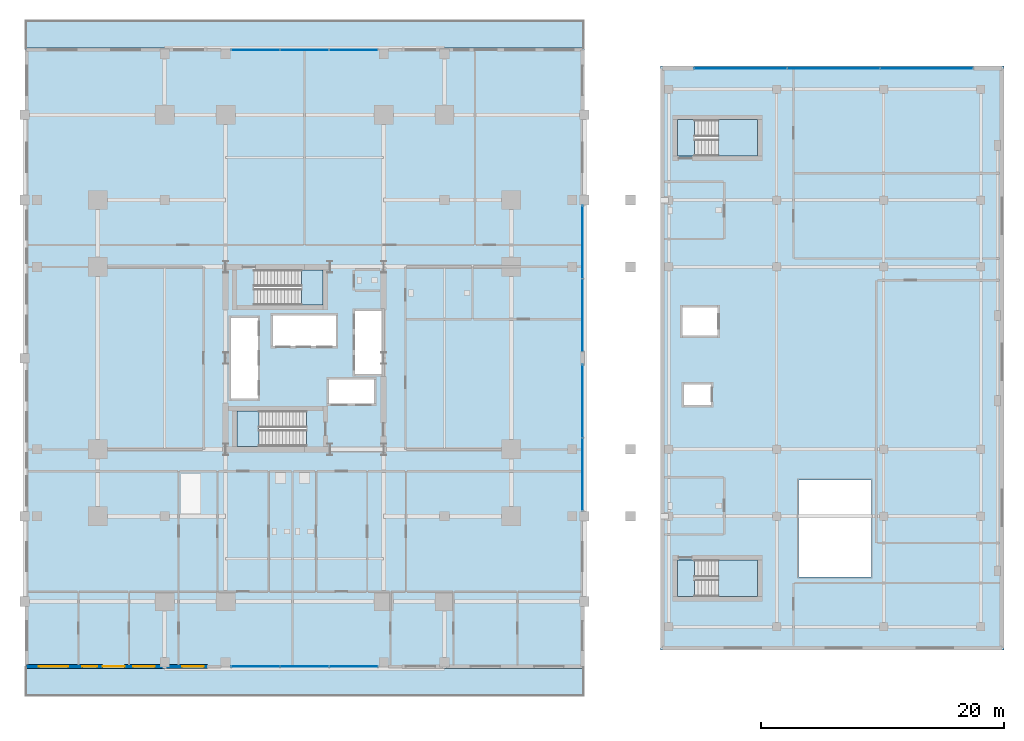
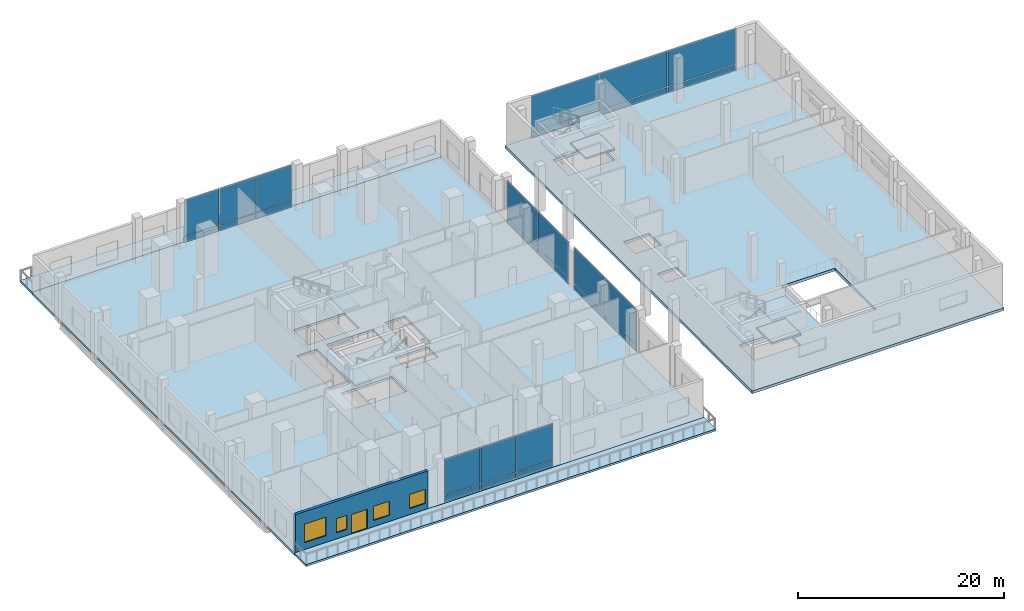
# One storey, part 19 of 32: 26 plates, 12 slabs, 4 windows, 1 door, 1 wall, 5 openings, 9 elements without a shape of their own.
"""IFC4 building model written with IfcOpenShell, lengths in metres."""

from ifc_helpers import new_model, si_unit, direction, frame, frame_2d, origin, origin_2d, place, context, subcontext, project, spatial, polyline, rectangle, outline, extrude, material, layer, layer_set, type_object, element, fill, aggregate, save


model = new_model("IFC4")

# Units and contexts
model_context = context("Model", 3, precision=1e-05, world=origin(), true_north=direction((0.0, 1.0)))
body_context = subcontext(model_context, "Body", "Model", "MODEL_VIEW")
ifc_project = project(units=[si_unit("LENGTHUNIT", "METRE"), si_unit("AREAUNIT", "SQUARE_METRE"), si_unit("VOLUMEUNIT", "CUBIC_METRE"), si_unit("PLANEANGLEUNIT", "RADIAN"), si_unit("MASSUNIT", "GRAM", prefix="KILO")], contexts=[model_context])

# Site, building, storey
site_placement = place(None, origin())
site = spatial("IfcSite", under=ifc_project, at=site_placement, CompositionType="ELEMENT")
building_placement = place(site_placement, origin())
building = spatial("IfcBuilding", under=site, at=building_placement, Name="Barlavira Tower and Art Museum", CompositionType="ELEMENT")
storey_placement = place(building_placement, frame((0.0, 0.0, 6.0)))
storey = spatial("IfcBuildingStorey", under=building, at=storey_placement, Name="L01", CompositionType="ELEMENT", Elevation=6.0)

# Slabs
ifc_material_1 = material(Name="Concrete C50", Category="concrete")
ifc_layer_1 = layer(ifc_material_1, 0.239990234375, Name="Concrete C50")
ifc_layer_set_1 = layer_set([ifc_layer_1], Name="Concrete C50")
slab_type_1 = type_object("IfcSlabType", Name="Cascading Garden and Lookout Terrace Slab 240 Concrete C50", PredefinedType="FLOOR", material=ifc_layer_set_1)
slab_1_placement = place(storey_placement, frame((0.0, 0.0, -0.239990234375)))
element("IfcSlab", 1, at=slab_1_placement, inside=storey, type_object=slab_type_1, Name="L01 South Cascading Garden Terrace Slab", PredefinedType="FLOOR", context=body_context, shape_type="SweptSolid", body=[
    extrude(outline(polyline([(-23.0, -27.800048828125), (23.0, -27.800048828125), (23.0, -25.5), (-23.0, -25.5), (-23.0, -27.800048828125)])), origin(), (0.0, 0.0, 1.0), 0.239990234375),
])
slab_2_placement = place(storey_placement, frame((0.0, 0.0, -0.239990234375)))
element("IfcSlab", 2, at=slab_2_placement, inside=storey, type_object=slab_type_1, Name="L01 North Cascading Garden Terrace Slab", PredefinedType="FLOOR", context=body_context, shape_type="SweptSolid", body=[
    extrude(outline(polyline([(-23.0, 25.5), (23.0, 25.5), (23.0, 27.800048828125), (-23.0, 27.800048828125), (-23.0, 25.5)])), origin(), (0.0, 0.0, 1.0), 0.239990234375),
])

# Curtain wall, plates
ifc_material_2 = material(Name="Low-iron coastal laminated glass", Category="glass")
ifc_layer_2 = layer(ifc_material_2, 0.219970703125, Name="Low-iron coastal laminated glass")
ifc_layer_set_2 = layer_set([ifc_layer_2], Name="Low-iron coastal laminated glass")
curtain_wall_type_1 = type_object("IfcCurtainWallType", Name="Double-Height Podium Arcade Storefront Curtain Wall", PredefinedType="NOTDEFINED", material=ifc_layer_set_2)
curtain_wall_1_placement = place(storey_placement, origin())
curtain_wall_1 = element("IfcCurtainWall", 3, at=curtain_wall_1_placement, inside=storey, type_object=curtain_wall_type_1, Name="L01 Curtain Wall CW5-L01-ES", PredefinedType="NOTDEFINED")
ifc_material_3 = material(Name="Pale anodised aluminium", Category="aluminium")
ifc_layer_3 = layer(ifc_material_3, 0.044921875, Name="Pale anodised aluminium")
ifc_layer_set_3 = layer_set([ifc_layer_3], Name="Pale anodised aluminium")
plate_type_1 = type_object("IfcPlateType", Name="Curtain Wall Pale-Metal Spandrel Panel 45", PredefinedType="CURTAIN_PANEL", material=ifc_layer_set_3)
plate_1_placement = place(storey_placement, frame((22.85009765625, -9.56005859375, 0.0400390625), z_axis=(0.0, 0.0, 1.0), x_axis=(0.0, 1.0, 0.0)))
plate_1 = element("IfcPlate", 4, at=plate_1_placement, type_object=plate_type_1, Name="CW5-L01-ES Spandrel Panel 0", PredefinedType="CURTAIN_PANEL", context=body_context, shape_type="SweptSolid", body=[
    extrude(rectangle(XDim=5.93994140625, YDim=0.044921875, at=origin_2d()), origin(), (0.0, 0.0, 1.0), 0.669921875),
])
plate_2_placement = place(storey_placement, frame((22.85009765625, -3.52001953125, 0.0400390625), z_axis=(0.0, 0.0, 1.0), x_axis=(0.0, 1.0, 0.0)))
plate_2 = element("IfcPlate", 5, at=plate_2_placement, type_object=plate_type_1, Name="CW5-L01-ES Spandrel Panel 1", PredefinedType="CURTAIN_PANEL", context=body_context, shape_type="SweptSolid", body=[
    extrude(rectangle(XDim=5.93994140625, YDim=0.044921875, at=origin_2d()), origin(), (0.0, 0.0, 1.0), 0.669921875),
])

curtain_wall_2_placement = place(storey_placement, origin())
curtain_wall_2 = element("IfcCurtainWall", 6, at=curtain_wall_2_placement, inside=storey, type_object=curtain_wall_type_1, Name="L01 Curtain Wall CW5-L01-EN", PredefinedType="NOTDEFINED")
plate_3_placement = place(storey_placement, frame((22.85009765625, 3.52001953125, 0.0400390625), z_axis=(0.0, 0.0, 1.0), x_axis=(0.0, 1.0, 0.0)))
plate_3 = element("IfcPlate", 7, at=plate_3_placement, type_object=plate_type_1, Name="CW5-L01-EN Spandrel Panel 0", PredefinedType="CURTAIN_PANEL", context=body_context, shape_type="SweptSolid", body=[
    extrude(rectangle(XDim=5.93994140625, YDim=0.044921875, at=origin_2d()), origin(), (0.0, 0.0, 1.0), 0.669921875),
])
plate_4_placement = place(storey_placement, frame((22.85009765625, 9.56005859375, 0.0400390625), z_axis=(0.0, 0.0, 1.0), x_axis=(0.0, 1.0, 0.0)))
plate_4 = element("IfcPlate", 8, at=plate_4_placement, type_object=plate_type_1, Name="CW5-L01-EN Spandrel Panel 1", PredefinedType="CURTAIN_PANEL", context=body_context, shape_type="SweptSolid", body=[
    extrude(rectangle(XDim=5.93994140625, YDim=0.044921875, at=origin_2d()), origin(), (0.0, 0.0, 1.0), 0.669921875),
])

ifc_layer_4 = layer(ifc_material_2, 0.179931640625, Name="Low-iron coastal laminated glass")
ifc_layer_set_4 = layer_set([ifc_layer_4], Name="Low-iron coastal laminated glass")
curtain_wall_type_2 = type_object("IfcCurtainWallType", Name="Pale-Metal Unitised Curtain Wall Zone 1", PredefinedType="NOTDEFINED", material=ifc_layer_set_4)
curtain_wall_3_placement = place(storey_placement, origin())
curtain_wall_3 = element("IfcCurtainWall", 9, at=curtain_wall_3_placement, inside=storey, type_object=curtain_wall_type_2, Name="L01 Curtain Wall CW1-L01-S-B2", PredefinedType="NOTDEFINED")
plate_5_placement = place(storey_placement, frame((-4.05322265625, -25.35009765625, 0.0400390625), z_axis=(0.0, 0.0, 1.0), x_axis=(1.0, 0.0, 0.0)))
plate_5 = element("IfcPlate", 10, at=plate_5_placement, type_object=plate_type_1, Name="CW1-L01-S-B2 Spandrel Panel 0", PredefinedType="CURTAIN_PANEL", context=body_context, shape_type="SweptSolid", body=[
    extrude(rectangle(XDim=3.953369140625, YDim=0.044921875, at=origin_2d()), origin(), (0.0, 0.0, 1.0), 0.669921875),
])
plate_6_placement = place(storey_placement, frame((0.0, -25.35009765625, 0.0400390625), z_axis=(0.0, 0.0, 1.0), x_axis=(1.0, 0.0, 0.0)))
plate_6 = element("IfcPlate", 11, at=plate_6_placement, type_object=plate_type_1, Name="CW1-L01-S-B2 Spandrel Panel 1", PredefinedType="CURTAIN_PANEL", context=body_context, shape_type="SweptSolid", body=[
    extrude(rectangle(XDim=3.953369140625, YDim=0.044921875, at=origin_2d()), origin(), (0.0, 0.0, 1.0), 0.669921875),
])
plate_7_placement = place(storey_placement, frame((4.05322265625, -25.35009765625, 0.0400390625), z_axis=(0.0, 0.0, 1.0), x_axis=(1.0, 0.0, 0.0)))
plate_7 = element("IfcPlate", 12, at=plate_7_placement, type_object=plate_type_1, Name="CW1-L01-S-B2 Spandrel Panel 2", PredefinedType="CURTAIN_PANEL", context=body_context, shape_type="SweptSolid", body=[
    extrude(rectangle(XDim=3.953369140625, YDim=0.044921875, at=origin_2d()), origin(), (0.0, 0.0, 1.0), 0.669921875),
])

curtain_wall_4_placement = place(storey_placement, origin())
curtain_wall_4 = element("IfcCurtainWall", 13, at=curtain_wall_4_placement, inside=storey, type_object=curtain_wall_type_2, Name="L01 Curtain Wall CW1-L01-N-B2", PredefinedType="NOTDEFINED")
plate_8_placement = place(storey_placement, frame((4.05322265625, 25.35009765625, 0.0400390625), z_axis=(0.0, 0.0, 1.0), x_axis=(-1.0, 0.0, 0.0)))
plate_8 = element("IfcPlate", 14, at=plate_8_placement, type_object=plate_type_1, Name="CW1-L01-N-B2 Spandrel Panel 0", PredefinedType="CURTAIN_PANEL", context=body_context, shape_type="SweptSolid", body=[
    extrude(rectangle(XDim=3.953369140625, YDim=0.044921875, at=origin_2d()), origin(), (0.0, 0.0, 1.0), 0.669921875),
])
plate_9_placement = place(storey_placement, frame((0.0, 25.35009765625, 0.0400390625), z_axis=(0.0, 0.0, 1.0), x_axis=(-1.0, 0.0, 0.0)))
plate_9 = element("IfcPlate", 15, at=plate_9_placement, type_object=plate_type_1, Name="CW1-L01-N-B2 Spandrel Panel 1", PredefinedType="CURTAIN_PANEL", context=body_context, shape_type="SweptSolid", body=[
    extrude(rectangle(XDim=3.953369140625, YDim=0.044921875, at=origin_2d()), origin(), (0.0, 0.0, 1.0), 0.669921875),
])
plate_10_placement = place(storey_placement, frame((-4.05322265625, 25.35009765625, 0.0400390625), z_axis=(0.0, 0.0, 1.0), x_axis=(-1.0, 0.0, 0.0)))
plate_10 = element("IfcPlate", 16, at=plate_10_placement, type_object=plate_type_1, Name="CW1-L01-N-B2 Spandrel Panel 2", PredefinedType="CURTAIN_PANEL", context=body_context, shape_type="SweptSolid", body=[
    extrude(rectangle(XDim=3.953369140625, YDim=0.044921875, at=origin_2d()), origin(), (0.0, 0.0, 1.0), 0.669921875),
])

ifc_layer_5 = layer(ifc_material_2, 0.199951171875, Name="Low-iron coastal laminated glass")
ifc_layer_set_5 = layer_set([ifc_layer_5], Name="Low-iron coastal laminated glass")
curtain_wall_type_3 = type_object("IfcCurtainWallType", Name="Coastal Art Museum North-Light Curtain Wall", PredefinedType="NOTDEFINED", material=ifc_layer_set_5)
curtain_wall_5_placement = place(storey_placement, origin())
curtain_wall_5 = element("IfcCurtainWall", 17, at=curtain_wall_5_placement, inside=storey, type_object=curtain_wall_type_3, Name="L01 Curtain Wall CW6-MUS-L01-N", PredefinedType="NOTDEFINED")
plate_11_placement = place(storey_placement, frame((51.166748046875, 23.824951171875, 0.0400390625), z_axis=(0.0, 0.0, 1.0), x_axis=(-1.0, 0.0, 0.0)))
plate_11 = element("IfcPlate", 18, at=plate_11_placement, type_object=plate_type_1, Name="CW6-MUS-L01-N Spandrel Panel 0", PredefinedType="CURTAIN_PANEL", context=body_context, shape_type="SweptSolid", body=[
    extrude(rectangle(XDim=7.566650390625, YDim=0.044921875, at=origin_2d()), origin(), (0.0, 0.0, 1.0), 0.669921875),
])
plate_12_placement = place(storey_placement, frame((43.5, 23.824951171875, 0.0400390625), z_axis=(0.0, 0.0, 1.0), x_axis=(-1.0, 0.0, 0.0)))
plate_12 = element("IfcPlate", 19, at=plate_12_placement, type_object=plate_type_1, Name="CW6-MUS-L01-N Spandrel Panel 1", PredefinedType="CURTAIN_PANEL", context=body_context, shape_type="SweptSolid", body=[
    extrude(rectangle(XDim=7.566650390625, YDim=0.044921875, at=origin_2d()), origin(), (0.0, 0.0, 1.0), 0.669921875),
])
plate_13_placement = place(storey_placement, frame((35.833251953125, 23.824951171875, 0.0400390625), z_axis=(0.0, 0.0, 1.0), x_axis=(-1.0, 0.0, 0.0)))
plate_13 = element("IfcPlate", 20, at=plate_13_placement, type_object=plate_type_1, Name="CW6-MUS-L01-N Spandrel Panel 2", PredefinedType="CURTAIN_PANEL", context=body_context, shape_type="SweptSolid", body=[
    extrude(rectangle(XDim=7.566650390625, YDim=0.044921875, at=origin_2d()), origin(), (0.0, 0.0, 1.0), 0.669921875),
])

# Plate
ifc_layer_6 = layer(ifc_material_2, 0.028076171875, Name="Low-iron coastal laminated glass")
ifc_layer_set_6 = layer_set([ifc_layer_6], Name="Low-iron coastal laminated glass")
plate_type_2 = type_object("IfcPlateType", Name="Curtain Wall Vision Glazing Panel 28", PredefinedType="CURTAIN_PANEL", material=ifc_layer_set_6)
plate_14_placement = place(storey_placement, frame((22.85009765625, -9.56005859375, 0.7900390625), z_axis=(0.0, 0.0, 1.0), x_axis=(0.0, 1.0, 0.0)))
plate_14 = element("IfcPlate", 21, at=plate_14_placement, type_object=plate_type_2, Name="CW5-L01-ES Vision Glass Panel 0", PredefinedType="CURTAIN_PANEL", context=body_context, shape_type="SweptSolid", body=[
    extrude(rectangle(XDim=5.93994140625, YDim=0.028076171875, at=origin_2d()), origin(), (0.0, 0.0, 1.0), 4.2900390625),
])

plate_15_placement = place(storey_placement, frame((22.85009765625, -3.52001953125, 0.7900390625), z_axis=(0.0, 0.0, 1.0), x_axis=(0.0, 1.0, 0.0)))
plate_15 = element("IfcPlate", 22, at=plate_15_placement, type_object=plate_type_2, Name="CW5-L01-ES Vision Glass Panel 1", PredefinedType="CURTAIN_PANEL", context=body_context, shape_type="SweptSolid", body=[
    extrude(rectangle(XDim=5.93994140625, YDim=0.028076171875, at=origin_2d()), origin(), (0.0, 0.0, 1.0), 4.2900390625),
])

aggregate(curtain_wall_1, [plate_1, plate_14, plate_2, plate_15])

plate_16_placement = place(storey_placement, frame((22.85009765625, 3.52001953125, 0.7900390625), z_axis=(0.0, 0.0, 1.0), x_axis=(0.0, 1.0, 0.0)))
plate_16 = element("IfcPlate", 23, at=plate_16_placement, type_object=plate_type_2, Name="CW5-L01-EN Vision Glass Panel 0", PredefinedType="CURTAIN_PANEL", context=body_context, shape_type="SweptSolid", body=[
    extrude(rectangle(XDim=5.93994140625, YDim=0.028076171875, at=origin_2d()), origin(), (0.0, 0.0, 1.0), 4.2900390625),
])

plate_17_placement = place(storey_placement, frame((22.85009765625, 9.56005859375, 0.7900390625), z_axis=(0.0, 0.0, 1.0), x_axis=(0.0, 1.0, 0.0)))
plate_17 = element("IfcPlate", 24, at=plate_17_placement, type_object=plate_type_2, Name="CW5-L01-EN Vision Glass Panel 1", PredefinedType="CURTAIN_PANEL", context=body_context, shape_type="SweptSolid", body=[
    extrude(rectangle(XDim=5.93994140625, YDim=0.028076171875, at=origin_2d()), origin(), (0.0, 0.0, 1.0), 4.2900390625),
])

aggregate(curtain_wall_2, [plate_3, plate_16, plate_4, plate_17])

plate_18_placement = place(storey_placement, frame((-4.05322265625, -25.35009765625, 0.7900390625), z_axis=(0.0, 0.0, 1.0), x_axis=(1.0, 0.0, 0.0)))
plate_18 = element("IfcPlate", 25, at=plate_18_placement, type_object=plate_type_2, Name="CW1-L01-S-B2 Vision Glass Panel 0", PredefinedType="CURTAIN_PANEL", context=body_context, shape_type="SweptSolid", body=[
    extrude(rectangle(XDim=3.953369140625, YDim=0.028076171875, at=origin_2d()), origin(), (0.0, 0.0, 1.0), 4.2900390625),
])

plate_19_placement = place(storey_placement, frame((0.0, -25.35009765625, 0.7900390625), z_axis=(0.0, 0.0, 1.0), x_axis=(1.0, 0.0, 0.0)))
plate_19 = element("IfcPlate", 26, at=plate_19_placement, type_object=plate_type_2, Name="CW1-L01-S-B2 Vision Glass Panel 1", PredefinedType="CURTAIN_PANEL", context=body_context, shape_type="SweptSolid", body=[
    extrude(rectangle(XDim=3.953369140625, YDim=0.028076171875, at=origin_2d()), origin(), (0.0, 0.0, 1.0), 4.2900390625),
])

plate_20_placement = place(storey_placement, frame((4.05322265625, -25.35009765625, 0.7900390625), z_axis=(0.0, 0.0, 1.0), x_axis=(1.0, 0.0, 0.0)))
plate_20 = element("IfcPlate", 27, at=plate_20_placement, type_object=plate_type_2, Name="CW1-L01-S-B2 Vision Glass Panel 2", PredefinedType="CURTAIN_PANEL", context=body_context, shape_type="SweptSolid", body=[
    extrude(rectangle(XDim=3.953369140625, YDim=0.028076171875, at=origin_2d()), origin(), (0.0, 0.0, 1.0), 4.2900390625),
])

aggregate(curtain_wall_3, [plate_5, plate_18, plate_6, plate_19, plate_7, plate_20])

plate_21_placement = place(storey_placement, frame((4.05322265625, 25.35009765625, 0.7900390625), z_axis=(0.0, 0.0, 1.0), x_axis=(-1.0, 0.0, 0.0)))
plate_21 = element("IfcPlate", 28, at=plate_21_placement, type_object=plate_type_2, Name="CW1-L01-N-B2 Vision Glass Panel 0", PredefinedType="CURTAIN_PANEL", context=body_context, shape_type="SweptSolid", body=[
    extrude(rectangle(XDim=3.953369140625, YDim=0.028076171875, at=origin_2d()), origin(), (0.0, 0.0, 1.0), 4.2900390625),
])

plate_22_placement = place(storey_placement, frame((0.0, 25.35009765625, 0.7900390625), z_axis=(0.0, 0.0, 1.0), x_axis=(-1.0, 0.0, 0.0)))
plate_22 = element("IfcPlate", 29, at=plate_22_placement, type_object=plate_type_2, Name="CW1-L01-N-B2 Vision Glass Panel 1", PredefinedType="CURTAIN_PANEL", context=body_context, shape_type="SweptSolid", body=[
    extrude(rectangle(XDim=3.953369140625, YDim=0.028076171875, at=origin_2d()), origin(), (0.0, 0.0, 1.0), 4.2900390625),
])

plate_23_placement = place(storey_placement, frame((-4.05322265625, 25.35009765625, 0.7900390625), z_axis=(0.0, 0.0, 1.0), x_axis=(-1.0, 0.0, 0.0)))
plate_23 = element("IfcPlate", 30, at=plate_23_placement, type_object=plate_type_2, Name="CW1-L01-N-B2 Vision Glass Panel 2", PredefinedType="CURTAIN_PANEL", context=body_context, shape_type="SweptSolid", body=[
    extrude(rectangle(XDim=3.953369140625, YDim=0.028076171875, at=origin_2d()), origin(), (0.0, 0.0, 1.0), 4.2900390625),
])

aggregate(curtain_wall_4, [plate_8, plate_21, plate_9, plate_22, plate_10, plate_23])

plate_24_placement = place(storey_placement, frame((51.166748046875, 23.824951171875, 0.7900390625), z_axis=(0.0, 0.0, 1.0), x_axis=(-1.0, 0.0, 0.0)))
plate_24 = element("IfcPlate", 31, at=plate_24_placement, type_object=plate_type_2, Name="CW6-MUS-L01-N Vision Glass Panel 0", PredefinedType="CURTAIN_PANEL", context=body_context, shape_type="SweptSolid", body=[
    extrude(rectangle(XDim=7.566650390625, YDim=0.028076171875, at=origin_2d()), origin(), (0.0, 0.0, 1.0), 4.25),
])

plate_25_placement = place(storey_placement, frame((43.5, 23.824951171875, 0.7900390625), z_axis=(0.0, 0.0, 1.0), x_axis=(-1.0, 0.0, 0.0)))
plate_25 = element("IfcPlate", 32, at=plate_25_placement, type_object=plate_type_2, Name="CW6-MUS-L01-N Vision Glass Panel 1", PredefinedType="CURTAIN_PANEL", context=body_context, shape_type="SweptSolid", body=[
    extrude(rectangle(XDim=7.566650390625, YDim=0.028076171875, at=origin_2d()), origin(), (0.0, 0.0, 1.0), 4.25),
])

plate_26_placement = place(storey_placement, frame((35.833251953125, 23.824951171875, 0.7900390625), z_axis=(0.0, 0.0, 1.0), x_axis=(-1.0, 0.0, 0.0)))
plate_26 = element("IfcPlate", 33, at=plate_26_placement, type_object=plate_type_2, Name="CW6-MUS-L01-N Vision Glass Panel 2", PredefinedType="CURTAIN_PANEL", context=body_context, shape_type="SweptSolid", body=[
    extrude(rectangle(XDim=7.566650390625, YDim=0.028076171875, at=origin_2d()), origin(), (0.0, 0.0, 1.0), 4.25),
])

aggregate(curtain_wall_5, [plate_11, plate_24, plate_12, plate_25, plate_13, plate_26])

# Slab
ifc_layer_7 = layer(ifc_material_1, 0.320068359375, Name="Concrete C50")
ifc_layer_set_7 = layer_set([ifc_layer_7], Name="Concrete C50")
slab_type_2 = type_object("IfcSlabType", Name="Museum Exhibition Gallery Slab 320 Concrete C50", PredefinedType="FLOOR", material=ifc_layer_set_7)
slab_3_placement = place(storey_placement, frame((0.0, 0.0, -0.320068359375)))
element("IfcSlab", 34, at=slab_3_placement, inside=storey, type_object=slab_type_2, Name="L01 Coastal Art Museum Floor Slab", PredefinedType="FLOOR", context=body_context, shape_type="SweptSolid", body=[
    extrude(outline(polyline([(29.25, -24.0), (57.5, -24.0), (57.5, 24.0), (29.25, 24.0), (29.25, -24.0)]), holes=[polyline([(32.070068359375, -19.60009765625), (37.25, -19.60009765625), (37.25, -16.60009765625), (32.070068359375, -16.60009765625), (32.070068359375, -19.60009765625)]), polyline([(32.070068359375, 16.60009765625), (37.25, 16.60009765625), (37.25, 19.60009765625), (32.070068359375, 19.60009765625), (32.070068359375, 16.60009765625)]), polyline([(31.199951171875, -3.85009765625), (33.39990234375, -3.85009765625), (33.39990234375, -2.14990234375), (31.199951171875, -2.14990234375), (31.199951171875, -3.85009765625)]), polyline([(31.050048828125, 1.85009765625), (33.949951171875, 1.85009765625), (33.949951171875, 4.14990234375), (31.050048828125, 4.14990234375), (31.050048828125, 1.85009765625)]), polyline([(40.60009765625, -18.0), (46.60009765625, -18.0), (46.60009765625, -10.0), (40.60009765625, -10.0), (40.60009765625, -18.0)])]), origin(), (0.0, 0.0, 1.0), 0.320068359375),
])

# Stair, slabs
ifc_material_4 = material(Name="Concrete C45", Category="concrete")
stair_type_1 = type_object("IfcStairType", Name="Museum North Dog-Leg Exit Stair Assembly Concrete C45", PredefinedType="TWO_QUARTER_TURN_STAIR", material=ifc_material_4)
stair_1_placement = place(storey_placement, origin())
stair_1 = element("IfcStair", 35, at=stair_1_placement, inside=storey, type_object=stair_type_1, Name="L01 Museum North Exit Stair ST-M2", PredefinedType="TWO_QUARTER_TURN_STAIR")
ifc_layer_8 = layer(ifc_material_4, 0.199951171875, Name="Concrete C45")
ifc_layer_set_8 = layer_set([ifc_layer_8], Name="Concrete C45")
slab_type_3 = type_object("IfcSlabType", Name="Museum North Dog-Leg Exit Stair Half-Landing Slab 200 Concrete C45", PredefinedType="LANDING", material=ifc_layer_set_8)
slab_4_placement = place(storey_placement, frame((0.0, 0.0, 1.14990234375)))
slab_4 = element("IfcSlab", 36, at=slab_4_placement, type_object=slab_type_3, Name="ST-M2 landing 1", PredefinedType="LANDING", context=body_context, shape_type="SweptSolid", body=[
    extrude(outline(polyline([(34.030029296875, 16.60009765625), (37.25, 16.60009765625), (37.25, 19.60009765625), (34.030029296875, 19.60009765625), (34.030029296875, 16.60009765625)])), origin(), (0.0, 0.0, 1.0), 0.2001953125),
])
slab_5_placement = place(storey_placement, frame((0.0, 0.0, 2.5)))
slab_5 = element("IfcSlab", 37, at=slab_5_placement, type_object=slab_type_3, Name="ST-M2 landing 2", PredefinedType="LANDING", context=body_context, shape_type="SweptSolid", body=[
    extrude(outline(polyline([(30.64990234375, 16.60009765625), (32.070068359375, 16.60009765625), (32.070068359375, 19.60009765625), (30.64990234375, 19.60009765625), (30.64990234375, 16.60009765625)])), origin(), (0.0, 0.0, 1.0), 0.199951171875),
])
slab_6_placement = place(storey_placement, frame((0.0, 0.0, 3.85009765625)))
slab_6 = element("IfcSlab", 38, at=slab_6_placement, type_object=slab_type_3, Name="ST-M2 landing 3", PredefinedType="LANDING", context=body_context, shape_type="SweptSolid", body=[
    extrude(outline(polyline([(34.030029296875, 16.60009765625), (37.25, 16.60009765625), (37.25, 19.60009765625), (34.030029296875, 19.60009765625), (34.030029296875, 16.60009765625)])), origin(), (0.0, 0.0, 1.0), 0.199951171875),
])
aggregate(stair_1, [slab_4, slab_5, slab_6])

stair_type_2 = type_object("IfcStairType", Name="Museum South Dog-Leg Exit Stair Assembly Concrete C45", PredefinedType="TWO_QUARTER_TURN_STAIR", material=ifc_material_4)
stair_2_placement = place(storey_placement, origin())
stair_2 = element("IfcStair", 39, at=stair_2_placement, inside=storey, type_object=stair_type_2, Name="L01 Museum South Exit Stair ST-M1", PredefinedType="TWO_QUARTER_TURN_STAIR")
ifc_layer_9 = layer(ifc_material_4, 0.199951171875, Name="Concrete C45")
ifc_layer_set_9 = layer_set([ifc_layer_9], Name="Concrete C45")
slab_type_4 = type_object("IfcSlabType", Name="Museum South Dog-Leg Exit Stair Half-Landing Slab 200 Concrete C45", PredefinedType="LANDING", material=ifc_layer_set_9)
slab_7_placement = place(storey_placement, frame((0.0, 0.0, 1.14990234375)))
slab_7 = element("IfcSlab", 40, at=slab_7_placement, type_object=slab_type_4, Name="ST-M1 landing 1", PredefinedType="LANDING", context=body_context, shape_type="SweptSolid", body=[
    extrude(outline(polyline([(34.030029296875, -19.60009765625), (37.25, -19.60009765625), (37.25, -16.60009765625), (34.030029296875, -16.60009765625), (34.030029296875, -19.60009765625)])), origin(), (0.0, 0.0, 1.0), 0.2001953125),
])
slab_8_placement = place(storey_placement, frame((0.0, 0.0, 2.5)))
slab_8 = element("IfcSlab", 41, at=slab_8_placement, type_object=slab_type_4, Name="ST-M1 landing 2", PredefinedType="LANDING", context=body_context, shape_type="SweptSolid", body=[
    extrude(outline(polyline([(30.64990234375, -19.60009765625), (32.070068359375, -19.60009765625), (32.070068359375, -16.60009765625), (30.64990234375, -16.60009765625), (30.64990234375, -19.60009765625)])), origin(), (0.0, 0.0, 1.0), 0.199951171875),
])
slab_9_placement = place(storey_placement, frame((0.0, 0.0, 3.85009765625)))
slab_9 = element("IfcSlab", 42, at=slab_9_placement, type_object=slab_type_4, Name="ST-M1 landing 3", PredefinedType="LANDING", context=body_context, shape_type="SweptSolid", body=[
    extrude(outline(polyline([(34.030029296875, -19.60009765625), (37.25, -19.60009765625), (37.25, -16.60009765625), (34.030029296875, -16.60009765625), (34.030029296875, -19.60009765625)])), origin(), (0.0, 0.0, 1.0), 0.199951171875),
])
aggregate(stair_2, [slab_7, slab_8, slab_9])

# Slab
ifc_layer_10 = layer(ifc_material_1, 0.280029296875, Name="Concrete C50")
ifc_layer_set_10 = layer_set([ifc_layer_10], Name="Concrete C50")
slab_type_5 = type_object("IfcSlabType", Name="Podium Floor Slab 280 Concrete C50", PredefinedType="FLOOR", material=ifc_layer_set_10)
slab_10_placement = place(storey_placement, frame((0.0, 0.0, -0.280029296875)))
element("IfcSlab", 43, at=slab_10_placement, inside=storey, type_object=slab_type_5, Name="L01 Tower Podium Indoor Floor Slab", PredefinedType="FLOOR", context=body_context, shape_type="SweptSolid", body=[
    extrude(outline(polyline([(-23.0, -25.5), (23.0, -25.5), (23.0, 25.5), (-23.0, 25.5), (-23.0, -25.5)]), holes=[polyline([(0.14990234375, -4.35009765625), (-5.550048828125, -4.35009765625), (-5.550048828125, -7.25), (0.14990234375, -7.25), (0.14990234375, -4.35009765625)]), polyline([(-4.169921875, 4.35009765625), (1.530029296875, 4.35009765625), (1.530029296875, 7.25), (-4.169921875, 7.25), (-4.169921875, 4.35009765625)]), polyline([(-6.050048828125, -3.31005859375), (-3.85009765625, -3.31005859375), (-3.85009765625, 3.31005859375), (-6.050048828125, 3.31005859375), (-6.050048828125, -3.31005859375)]), polyline([(4.14990234375, -1.2900390625), (6.35009765625, -1.2900390625), (6.35009765625, 3.889892578125), (4.14990234375, 3.889892578125), (4.14990234375, -1.2900390625)]), polyline([(-2.6201171875, 1.0), (2.56005859375, 1.0), (2.56005859375, 3.5), (-2.6201171875, 3.5), (-2.6201171875, 1.0)]), polyline([(2.0, -3.75), (5.699951171875, -3.75), (5.699951171875, -1.75), (2.0, -1.75), (2.0, -3.75)])]), origin(), (0.0, 0.0, 1.0), 0.280029296875),
])

# Stair, slab
stair_type_3 = type_object("IfcStairType", Name="Tower North Dog-Leg Exit Stair Assembly Concrete C45", PredefinedType="TWO_QUARTER_TURN_STAIR", material=ifc_material_4)
stair_3_placement = place(storey_placement, origin())
stair_3 = element("IfcStair", 44, at=stair_3_placement, inside=storey, type_object=stair_type_3, Name="L01 Tower North Exit Stair ST-T2", PredefinedType="TWO_QUARTER_TURN_STAIR")
ifc_layer_11 = layer(ifc_material_4, 0.199951171875, Name="Concrete C45")
ifc_layer_set_11 = layer_set([ifc_layer_11], Name="Concrete C45")
slab_type_6 = type_object("IfcSlabType", Name="Tower North Dog-Leg Exit Stair Half-Landing Slab 200 Concrete C45", PredefinedType="LANDING", material=ifc_layer_set_11)
slab_11_placement = place(storey_placement, frame((0.0, 0.0, 2.5)))
slab_11 = element("IfcSlab", 45, at=slab_11_placement, type_object=slab_type_6, Name="ST-T2 landing 1", PredefinedType="LANDING", context=body_context, shape_type="SweptSolid", body=[
    extrude(outline(polyline([(-0.25, 4.35009765625), (1.530029296875, 4.35009765625), (1.530029296875, 7.25), (-0.25, 7.25), (-0.25, 4.35009765625)])), origin(), (0.0, 0.0, 1.0), 0.199951171875),
])
aggregate(stair_3, [slab_11])

stair_type_4 = type_object("IfcStairType", Name="Tower South Dog-Leg Exit Stair Assembly Concrete C45", PredefinedType="TWO_QUARTER_TURN_STAIR", material=ifc_material_4)
stair_4_placement = place(storey_placement, origin())
stair_4 = element("IfcStair", 46, at=stair_4_placement, inside=storey, type_object=stair_type_4, Name="L01 Tower South Exit Stair ST-T1", PredefinedType="TWO_QUARTER_TURN_STAIR")
ifc_layer_12 = layer(ifc_material_4, 0.199951171875, Name="Concrete C45")
ifc_layer_set_12 = layer_set([ifc_layer_12], Name="Concrete C45")
slab_type_7 = type_object("IfcSlabType", Name="Tower South Dog-Leg Exit Stair Half-Landing Slab 200 Concrete C45", PredefinedType="LANDING", material=ifc_layer_set_12)
slab_12_placement = place(storey_placement, frame((0.0, 0.0, 2.5)))
slab_12 = element("IfcSlab", 47, at=slab_12_placement, type_object=slab_type_7, Name="ST-T1 landing 1", PredefinedType="LANDING", context=body_context, shape_type="SweptSolid", body=[
    extrude(outline(polyline([(-3.77001953125, -4.35009765625), (-5.550048828125, -4.35009765625), (-5.550048828125, -7.25), (-3.77001953125, -7.25), (-3.77001953125, -4.35009765625)])), origin(), (0.0, 0.0, 1.0), 0.199951171875),
])
aggregate(stair_4, [slab_12])

# Wall, openings, windows, door
ifc_material_5 = material(Name="Precast concrete C40", Category="concrete")
ifc_layer_13 = layer(ifc_material_5, 0.300048828125, Name="Precast concrete C40")
ifc_layer_set_13 = layer_set([ifc_layer_13], Name="Precast concrete C40")
wall_type = type_object("IfcWallType", Name="Podium Architectural Precast Facade Wall 300 Concrete C40", PredefinedType="SOLIDWALL", material=ifc_layer_set_13)
wall_placement = place(storey_placement, frame((-8.0, -25.35009765625, 0.0), z_axis=(0.0, 0.0, 1.0), x_axis=(-1.0, 0.0, 0.0)))
wall = element("IfcWall", 48, at=wall_placement, inside=storey, type_object=wall_type, Name="L01 Podium South-West Wall", PredefinedType="SOLIDWALL", context=body_context, shape_type="SweptSolid", body=[
    extrude(rectangle(XDim=14.85009765625, YDim=0.300048828125, at=frame_2d((7.425048828125, 0.0))), origin(), (0.0, 0.0, 1.0), 4.47607421875),
])
opening_1_placement = place(wall_placement, frame((6.800048828125, 0.0, 0.0)))
opening_1 = element("IfcOpeningElement", 49, at=opening_1_placement, cuts=wall, Name="Opening ED-03", PredefinedType="OPENING", context=body_context, shape_type="SweptSolid", body=[
    extrude(rectangle(XDim=1.800048828125, YDim=2.300048828125, at=frame_2d((0.89990234375, 1.14990234375))), frame((0.0, 0.16015625, 0.0), z_axis=(0.0, -1.0, 0.0), x_axis=(1.0, 0.0, 0.0)), (0.0, 0.0, 1.0), 0.320068359375),
])
opening_2_placement = place(wall_placement, frame((0.27490234375, 0.0, 0.719970703125)))
opening_2 = element("IfcOpeningElement", 50, at=opening_2_placement, cuts=wall, Name="Opening WN-01", PredefinedType="OPENING", context=body_context, shape_type="SweptSolid", body=[
    extrude(rectangle(XDim=1.800048828125, YDim=1.679931640625, at=frame_2d((0.89990234375, 0.83984375))), frame((0.0, 0.16015625, 0.0), z_axis=(0.0, -1.0, 0.0), x_axis=(1.0, 0.0, 0.0)), (0.0, 0.0, 1.0), 0.320068359375),
])
opening_3_placement = place(wall_placement, frame((4.304931640625, 0.0, 0.719970703125)))
opening_3 = element("IfcOpeningElement", 51, at=opening_3_placement, cuts=wall, Name="Opening WN-01", PredefinedType="OPENING", context=body_context, shape_type="SweptSolid", body=[
    extrude(rectangle(XDim=1.800048828125, YDim=1.679931640625, at=frame_2d((0.89990234375, 0.83984375))), frame((0.0, 0.16015625, 0.0), z_axis=(0.0, -1.0, 0.0), x_axis=(1.0, 0.0, 0.0)), (0.0, 0.0, 1.0), 0.320068359375),
])
opening_4_placement = place(wall_placement, frame((9.06494140625, 0.0, 0.719970703125)))
opening_4 = element("IfcOpeningElement", 52, at=opening_4_placement, cuts=wall, Name="Opening WN-05", PredefinedType="OPENING", context=body_context, shape_type="SweptSolid", body=[
    extrude(rectangle(XDim=1.199951171875, YDim=1.679931640625, at=frame_2d((0.60009765625, 0.83984375))), frame((0.0, 0.16015625, 0.0), z_axis=(0.0, -1.0, 0.0), x_axis=(1.0, 0.0, 0.0)), (0.0, 0.0, 1.0), 0.320068359375),
])
opening_5_placement = place(wall_placement, frame((11.445068359375, 0.0, 0.800048828125)))
opening_5 = element("IfcOpeningElement", 53, at=opening_5_placement, cuts=wall, Name="Opening WN-02", PredefinedType="OPENING", context=body_context, shape_type="SweptSolid", body=[
    extrude(rectangle(XDim=2.39990234375, YDim=2.199951171875, at=frame_2d((1.199951171875, 1.10009765625))), frame((0.0, 0.16015625, 0.0), z_axis=(0.0, -1.0, 0.0), x_axis=(1.0, 0.0, 0.0)), (0.0, 0.0, 1.0), 0.320068359375),
])
window_type_1 = type_object("IfcWindowType", Name="Podium Garden Gallery Window 2400x2200", PartitioningType="SINGLE_PANEL", PredefinedType="WINDOW", material=ifc_material_2)
window_1_placement = place(opening_5_placement, origin())
window_1 = element("IfcWindow", 54, at=window_1_placement, inside=storey, type_object=window_type_1, Name="L01 Punched Facade Window EW-L01-SW-4", OverallHeight=2.199951171875, OverallWidth=2.39990234375, PartitioningType="SINGLE_PANEL", PredefinedType="WINDOW", context=body_context, shape_type="SweptSolid", body=[
    extrude(rectangle(XDim=2.39990234375, YDim=2.199951171875, at=frame_2d((1.199951171875, 1.10009765625))), frame((0.0, 0.030029296875, 0.0), z_axis=(0.0, -1.0, 0.0), x_axis=(1.0, 0.0, 0.0)), (0.0, 0.0, 1.0), 0.06005859375),
])
fill(opening_5, window_1)
window_type_2 = type_object("IfcWindowType", Name="Recessed Flank Pier Punch Window 1200x1680", PartitioningType="SINGLE_PANEL", PredefinedType="WINDOW", material=ifc_material_2)
window_2_placement = place(opening_4_placement, origin())
window_2 = element("IfcWindow", 55, at=window_2_placement, inside=storey, type_object=window_type_2, Name="L01 Punched Facade Window EW-L01-SW-3", OverallHeight=1.679931640625, OverallWidth=1.199951171875, PartitioningType="SINGLE_PANEL", PredefinedType="WINDOW", context=body_context, shape_type="SweptSolid", body=[
    extrude(rectangle(XDim=1.199951171875, YDim=1.679931640625, at=frame_2d((0.60009765625, 0.83984375))), frame((0.0, 0.030029296875, 0.0), z_axis=(0.0, -1.0, 0.0), x_axis=(1.0, 0.0, 0.0)), (0.0, 0.0, 1.0), 0.06005859375),
])
fill(opening_4, window_2)
window_type_3 = type_object("IfcWindowType", Name="Recessed Notch Corner Punch Window 1800x1680", PartitioningType="SINGLE_PANEL", PredefinedType="WINDOW", material=ifc_material_2)
window_3_placement = place(opening_2_placement, origin())
window_3 = element("IfcWindow", 56, at=window_3_placement, inside=storey, type_object=window_type_3, Name="L01 Punched Facade Window EW-L01-SW-1", OverallHeight=1.679931640625, OverallWidth=1.800048828125, PartitioningType="SINGLE_PANEL", PredefinedType="WINDOW", context=body_context, shape_type="SweptSolid", body=[
    extrude(rectangle(XDim=1.800048828125, YDim=1.679931640625, at=frame_2d((0.89990234375, 0.83984375))), frame((0.0, 0.030029296875, 0.0), z_axis=(0.0, -1.0, 0.0), x_axis=(1.0, 0.0, 0.0)), (0.0, 0.0, 1.0), 0.06005859375),
])
fill(opening_2, window_3)
window_4_placement = place(opening_3_placement, origin())
window_4 = element("IfcWindow", 57, at=window_4_placement, inside=storey, type_object=window_type_3, Name="L01 Punched Facade Window EW-L01-SW-2", OverallHeight=1.679931640625, OverallWidth=1.800048828125, PartitioningType="SINGLE_PANEL", PredefinedType="WINDOW", context=body_context, shape_type="SweptSolid", body=[
    extrude(rectangle(XDim=1.800048828125, YDim=1.679931640625, at=frame_2d((0.89990234375, 0.83984375))), frame((0.0, 0.030029296875, 0.0), z_axis=(0.0, -1.0, 0.0), x_axis=(1.0, 0.0, 0.0)), (0.0, 0.0, 1.0), 0.06005859375),
])
fill(opening_3, window_4)
door_type = type_object("IfcDoorType", Name="Terrace and Observation Deck Glazed Door 1800x2300", OperationType="NOTDEFINED", PredefinedType="DOOR", material=ifc_material_3)
door_placement = place(opening_1_placement, origin())
door = element("IfcDoor", 58, at=door_placement, inside=storey, type_object=door_type, Name="L01 South Cascade Terrace Access Door", OperationType="DOUBLE_DOOR_SINGLE_SWING", OverallHeight=2.300048828125, OverallWidth=1.800048828125, PredefinedType="DOOR", context=body_context, shape_type="SweptSolid", body=[
    extrude(rectangle(XDim=1.800048828125, YDim=2.300048828125, at=frame_2d((0.89990234375, 1.14990234375))), frame((0.0, 0.02490234375, 0.0), z_axis=(0.0, -1.0, 0.0), x_axis=(1.0, 0.0, 0.0)), (0.0, 0.0, 1.0), 0.050048828125),
])
fill(opening_1, door)

save(model, "model.ifc")
